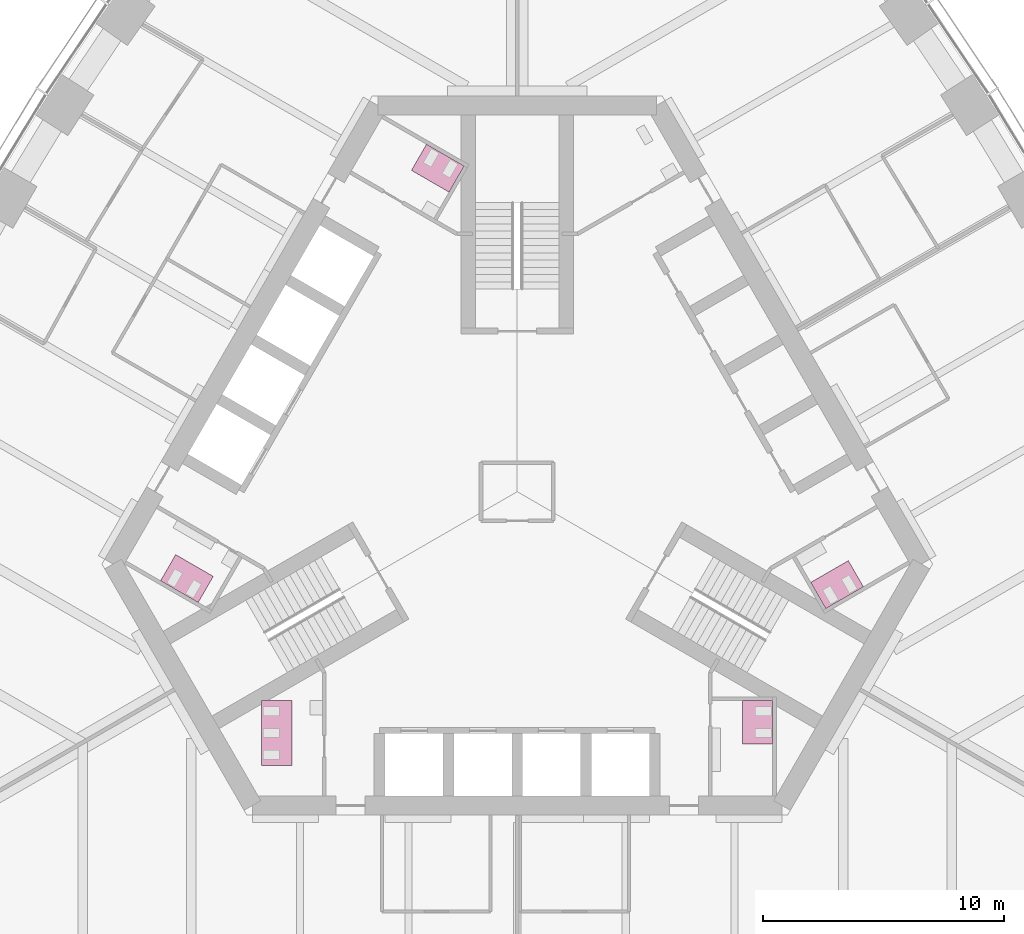
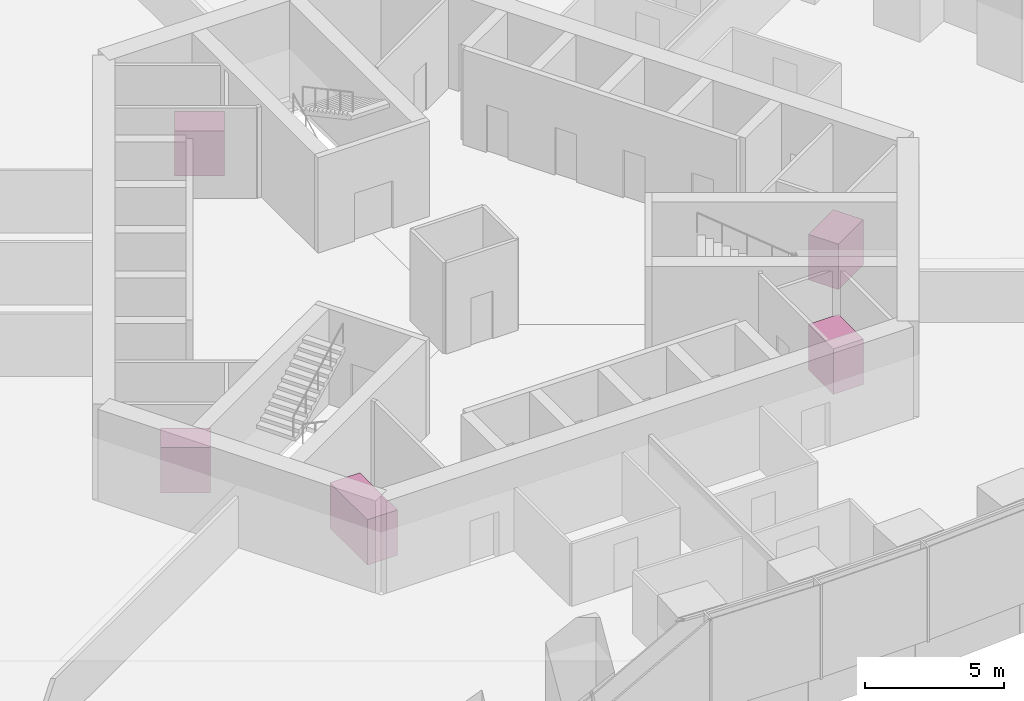
# One storey, part 18 of 18: 5 furniture elements.
"""IFC4 building model written with IfcOpenShell, lengths in metres."""

import ifcopenshell
import ifcopenshell.guid

model = None  # the IFC model being written
_history = None  # IfcOwnerHistory: only IFC2X3 demands one
_inside = {}  # id of a spatial element -> (the spatial element, [elements in it])
_under = {}  # id of a project, library or spatial element -> (it, [spatial elements below it])
_declared = {}  # id of a project -> (the project, [libraries it declares])
_typed = {}  # id of a type object -> (the type object, [elements of that type])
_made_of = {}  # id of a material, layer set ... -> (it, [elements and type objects made of it])


def new_model(schema):
    """Start an empty IFC model of exactly this schema.

    Asked for "IFC4X3", IfcOpenShell would pick the latest addendum, in which some entities
    have other attributes; the version numbers below select the first issue.
    IFC2X3 requires an IfcOwnerHistory on every rooted entity: one is made here for all.
    """
    global model, _history
    if schema == "IFC4X3":
        model = ifcopenshell.file(schema_version=(4, 3, 0, 0))
    else:
        model = ifcopenshell.file(schema=schema)
    _inside.clear()
    _under.clear()
    _declared.clear()
    _typed.clear()
    _made_of.clear()
    _history = None
    if model.schema == "IFC2X3":
        org = make("IfcOrganization", Name="unknown")
        user = make(
            "IfcPersonAndOrganization",
            ThePerson=make("IfcPerson", FamilyName="unknown"),
            TheOrganization=org,
        )
        app = make(
            "IfcApplication",
            ApplicationDeveloper=org,
            Version="unknown",
            ApplicationFullName="unknown",
            ApplicationIdentifier="unknown",
        )
        _history = make(
            "IfcOwnerHistory",
            OwningUser=user,
            OwningApplication=app,
            ChangeAction="ADDED",
            CreationDate=0,
        )
    return model


def make(cls, **values):
    """One entity of the class cls with the attributes given. An attribute that is None is left unset."""
    return model.create_entity(
        cls, **{name: value for name, value in values.items() if value is not None}
    )


def rooted(cls, **values):
    """An entity with a GlobalId (a new one), such as an element, a storey or a relation."""
    return make(cls, GlobalId=ifcopenshell.guid.new(), OwnerHistory=_history, **values)


def si_unit(unit_type, name, prefix=None):
    """IfcSIUnit, for example si_unit("LENGTHUNIT", "METRE", prefix="MILLI")."""
    return make("IfcSIUnit", UnitType=unit_type, Prefix=prefix, Name=name)


def assignment(units):
    """IfcUnitAssignment: the units of a project."""
    return None if units is None else make("IfcUnitAssignment", Units=units)


def point(xyz):
    """IfcCartesianPoint."""
    return None if xyz is None else make("IfcCartesianPoint", Coordinates=xyz)


def direction(xyz):
    """IfcDirection."""
    return None if xyz is None else make("IfcDirection", DirectionRatios=xyz)


def frame(location, z_axis=None, x_axis=None):
    """IfcAxis2Placement3D, a coordinate frame: its origin and axes. An axis left out is left unset."""
    return make(
        "IfcAxis2Placement3D",
        Location=point(location),
        Axis=direction(z_axis),
        RefDirection=direction(x_axis),
    )


def origin():
    """The frame at (0, 0, 0) with its axes left unset."""
    return frame((0.0, 0.0, 0.0))


def place(relative_to, where):
    """IfcLocalPlacement: puts the frame where relative to a parent placement (None: the world)."""
    return make(
        "IfcLocalPlacement", PlacementRelTo=relative_to, RelativePlacement=where
    )


def context(
    kind, dimensions, precision=None, world=None, true_north=None, identifier=None
):
    """IfcGeometricRepresentationContext, for example the 3D "Model" context."""
    return make(
        "IfcGeometricRepresentationContext",
        ContextIdentifier=identifier,
        ContextType=kind,
        CoordinateSpaceDimension=dimensions,
        Precision=precision,
        WorldCoordinateSystem=world,
        TrueNorth=true_north,
    )


def subcontext(parent, identifier, kind, view, scale=None):
    """IfcGeometricRepresentationSubContext, for example "Body" below "Model"."""
    return make(
        "IfcGeometricRepresentationSubContext",
        ContextIdentifier=identifier,
        ContextType=kind,
        ParentContext=parent,
        TargetScale=scale,
        TargetView=view,
    )


def project(units=None, contexts=None):
    """IfcProject with its units and contexts."""
    return rooted(
        "IfcProject",
        Name="project",
        RepresentationContexts=contexts,
        UnitsInContext=assignment(units),
    )


def spatial(cls, under=None, at=None, **own):
    """A site, building, storey or space (cls), placed at a placement, below another one or the project."""
    s = rooted(cls, ObjectPlacement=at, **own)
    if under is not None:
        _under.setdefault(under.id(), (under, []))[1].append(s)
    return s


def polyline(points):
    """IfcPolyline through the points."""
    return make("IfcPolyline", Points=[point(p) for p in points])


def outline(outer, holes=None, kind="AREA"):
    """IfcArbitraryClosedProfileDef: a profile drawn as a closed curve; with holes, ...WithVoids."""
    if holes is None:
        return make("IfcArbitraryClosedProfileDef", ProfileType=kind, OuterCurve=outer)
    return make(
        "IfcArbitraryProfileDefWithVoids",
        ProfileType=kind,
        OuterCurve=outer,
        InnerCurves=holes,
    )


def extrude(swept, where, along, depth):
    """IfcExtrudedAreaSolid: the profile swept, set in the frame where, extruded along a direction by depth."""
    return make(
        "IfcExtrudedAreaSolid",
        SweptArea=swept,
        Position=where,
        ExtrudedDirection=direction(along),
        Depth=depth,
    )


def shape(context_of_items, identifier, shape_type, items):
    """IfcShapeRepresentation: the items that make up one representation, for example the "Body"."""
    return make(
        "IfcShapeRepresentation",
        ContextOfItems=context_of_items,
        RepresentationIdentifier=identifier,
        RepresentationType=shape_type,
        Items=items,
    )


def material(Name=None, Category=None):
    """IfcMaterial."""
    return make("IfcMaterial", Name=Name, Category=Category)


def made_of(thing, what):
    """Note that an element or type object is made of a material, layer set ...; save() writes the relation."""
    if what is not None:
        _made_of.setdefault(what.id(), (what, []))[1].append(thing)
    return thing


def type_object(cls, material=None, **own):
    """A type object (cls), such as IfcWallType, which elements share."""
    return made_of(rooted(cls, **own), material)


def element(
    cls,
    number,
    at=None,
    inside=None,
    cuts=None,
    type_object=None,
    material=None,
    context=None,
    identifier="Body",
    shape_type=None,
    held_by="IfcProductDefinitionShape",
    body=None,
    shapes=None,
    **own,
):
    """One element of the class cls, such as IfcWall. Its Tag is "e" and its number.

    at: its placement. inside: the storey or other place that contains it. cuts: it is an
    opening in that element (IfcRelVoidsElement). A single representation is given by context,
    identifier, shape_type and body (its items); several are given by shapes. held_by: the class
    of the entity that holds the representations. save() writes the other relations.
    """
    e = rooted(cls, Tag="e%d" % number, ObjectPlacement=at, **own)
    if body is not None:
        shapes = [shape(context, identifier, shape_type, body)]
    if shapes is not None:
        e.Representation = make(held_by, Representations=shapes)
    if inside is not None:
        _inside.setdefault(inside.id(), (inside, []))[1].append(e)
    if cuts is not None:
        rooted(
            "IfcRelVoidsElement", RelatingBuildingElement=cuts, RelatedOpeningElement=e
        )
    if type_object is not None:
        _typed.setdefault(type_object.id(), (type_object, []))[1].append(e)
    return made_of(e, material)


def aggregate(whole, parts):
    """IfcRelAggregates: a whole, such as a stair, and the parts it consists of."""
    return rooted("IfcRelAggregates", RelatingObject=whole, RelatedObjects=parts)


def save(model, path):
    """Write the relations noted so far, then the file.

    IfcRelAggregates (storeys below a building ...), IfcRelContainedInSpatialStructure (elements
    in a storey), IfcRelDefinesByType, IfcRelAssociatesMaterial and IfcRelDeclares: one each for
    every whole, place, type object, material and project.
    """
    for whole, parts in _under.values():
        aggregate(whole, parts)
    for where, things in _inside.values():
        rooted(
            "IfcRelContainedInSpatialStructure",
            RelatedElements=things,
            RelatingStructure=where,
        )
    for kind, things in _typed.values():
        rooted("IfcRelDefinesByType", RelatedObjects=things, RelatingType=kind)
    for what, things in _made_of.values():
        rooted("IfcRelAssociatesMaterial", RelatedObjects=things, RelatingMaterial=what)
    for by, libraries in _declared.values():
        rooted("IfcRelDeclares", RelatingContext=by, RelatedDefinitions=libraries)
    model.write(path)


model = new_model("IFC4")

# Units and contexts
model_context = context("Model", 3, precision=1e-05, world=origin(), true_north=direction((0.0, 1.0)))
body_context = subcontext(model_context, "Body", "Model", "MODEL_VIEW")
ifc_project = project(units=[si_unit("LENGTHUNIT", "METRE"), si_unit("AREAUNIT", "SQUARE_METRE"), si_unit("VOLUMEUNIT", "CUBIC_METRE"), si_unit("PLANEANGLEUNIT", "RADIAN"), si_unit("MASSUNIT", "GRAM", prefix="KILO")], contexts=[model_context])

# Site, building, storey
site_placement = place(None, origin())
site = spatial("IfcSite", under=ifc_project, at=site_placement, CompositionType="ELEMENT")
building_placement = place(site_placement, origin())
building = spatial("IfcBuilding", under=site, at=building_placement, Name="Trefoil Bronze Tower", CompositionType="ELEMENT")
storey_placement = place(building_placement, frame((0.0, 0.0, 202.300048828125)))
storey = spatial("IfcBuildingStorey", under=building, at=storey_placement, Name="L46", CompositionType="ELEMENT", Elevation=202.300048828125)

# Furniture
ifc_material_1 = material(Name="Compact laminate cubicles", Category="plastic")
furniture_type_1 = type_object("IfcFurnitureType", Name="WC cubicle range 2 cubicles", AssemblyPlace="FACTORY", PredefinedType="USERDEFINED", material=ifc_material_1)
furniture_1_placement = place(storey_placement, origin())
element("IfcFurniture", 1, at=furniture_1_placement, inside=storey, type_object=furniture_type_1, Name="WC cubicle range WC (men) L46", ObjectType="WC cubicle range", PredefinedType="USERDEFINED", context=body_context, shape_type="SweptSolid", body=[
    extrude(outline(polyline([(9.3349609375, -8.64990234375), (10.5849609375, -8.64990234375), (10.5849609375, -10.449951171875), (9.3349609375, -10.449951171875), (9.3349609375, -8.64990234375)])), origin(), (0.0, 0.0, 1.0), 2.0),
])
furniture_2_placement = place(storey_placement, origin())
element("IfcFurniture", 2, at=furniture_2_placement, inside=storey, type_object=furniture_type_1, Name="WC cubicle range WC (women) L46", ObjectType="WC cubicle range", PredefinedType="USERDEFINED", context=body_context, shape_type="SweptSolid", body=[
    extrude(outline(polyline([(12.15869140625, -3.75927734375), (12.78369140625, -4.841796875), (14.342529296875, -3.94189453125), (13.717529296875, -2.859375), (12.15869140625, -3.75927734375)])), origin(), (0.0, 0.0, 1.0), 2.0),
])
furniture_3_placement = place(storey_placement, origin())
element("IfcFurniture", 3, at=furniture_3_placement, inside=storey, type_object=furniture_type_1, Name="WC cubicle range WC (women) L46", ObjectType="WC cubicle range", PredefinedType="USERDEFINED", context=body_context, shape_type="SweptSolid", body=[
    extrude(outline(polyline([(-2.82373046875, 12.409423828125), (-2.19873046875, 13.491943359375), (-3.757568359375, 14.391845703125), (-4.382568359375, 13.309326171875), (-2.82373046875, 12.409423828125)])), origin(), (0.0, 0.0, 1.0), 2.0),
])
furniture_4_placement = place(storey_placement, origin())
element("IfcFurniture", 4, at=furniture_4_placement, inside=storey, type_object=furniture_type_1, Name="WC cubicle range WC (men) L46", ObjectType="WC cubicle range", PredefinedType="USERDEFINED", context=body_context, shape_type="SweptSolid", body=[
    extrude(outline(polyline([(-12.591552734375, -3.50927734375), (-13.216552734375, -4.591796875), (-14.775390625, -3.69189453125), (-14.150390625, -2.609375), (-12.591552734375, -3.50927734375)])), origin(), (0.0, 0.0, 1.0), 2.0),
])
ifc_material_2 = material(Name="Compact laminate cubicles", Category="plastic")
furniture_type_2 = type_object("IfcFurnitureType", Name="WC cubicle range 3 cubicles", AssemblyPlace="FACTORY", PredefinedType="USERDEFINED", material=ifc_material_2)
furniture_5_placement = place(storey_placement, origin())
element("IfcFurniture", 5, at=furniture_5_placement, inside=storey, type_object=furniture_type_2, Name="WC cubicle range WC (women) L46", ObjectType="WC cubicle range", PredefinedType="USERDEFINED", context=body_context, shape_type="SweptSolid", body=[
    extrude(outline(polyline([(-9.3349609375, -8.64990234375), (-10.5849609375, -8.64990234375), (-10.5849609375, -11.35009765625), (-9.3349609375, -11.35009765625), (-9.3349609375, -8.64990234375)])), origin(), (0.0, 0.0, 1.0), 2.0),
])

save(model, "model.ifc")
